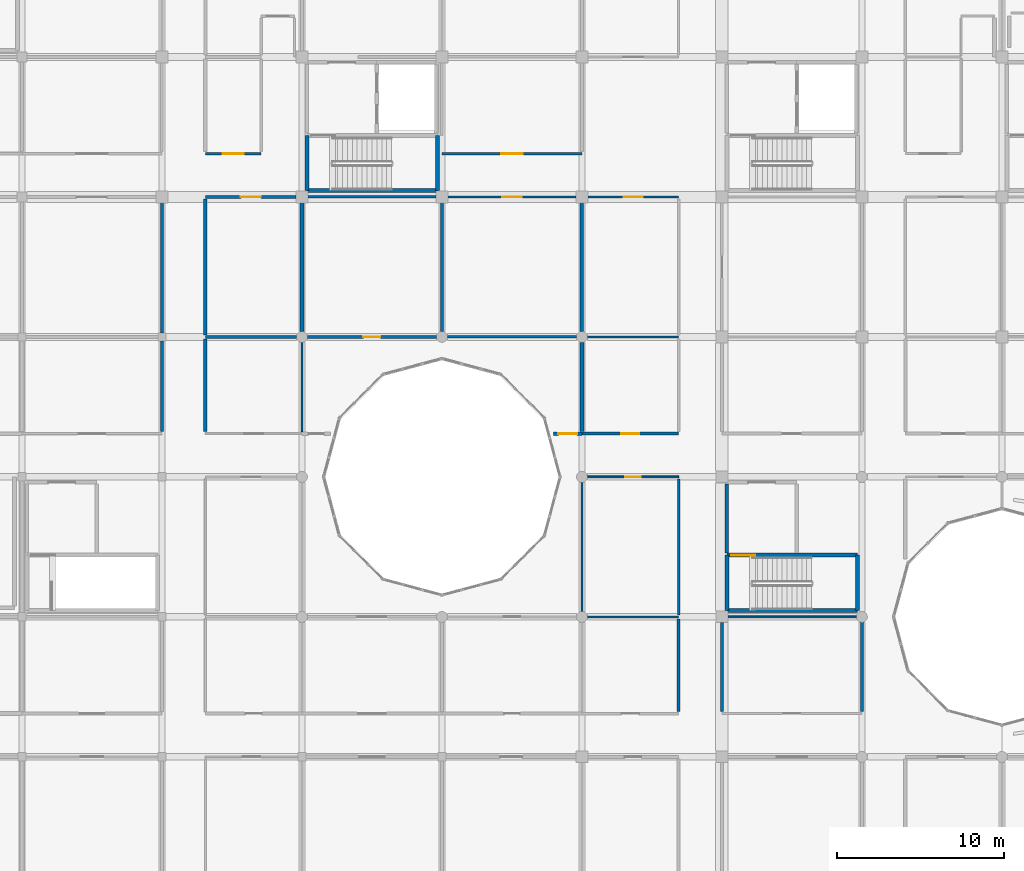
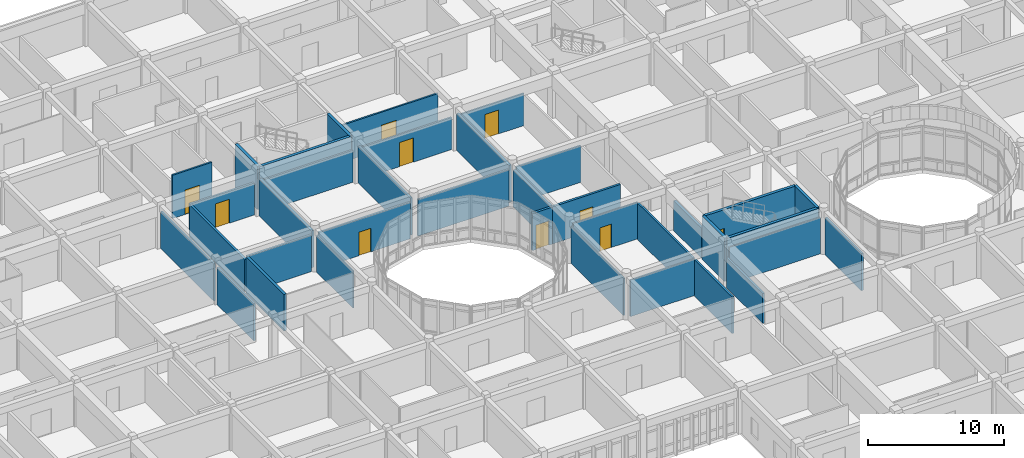
# One storey, part 90 of 119: 37 walls, 10 doors, 10 openings.
"""IFC4 building model written with IfcOpenShell, lengths in metres."""

from ifc_helpers import new_model, si_unit, direction, frame, frame_2d, origin, place, context, subcontext, project, spatial, rectangle, extrude, material, layer, layer_set, type_object, element, fill, save


model = new_model("IFC4")

# Units and contexts
model_context = context("Model", 3, precision=1e-05, world=origin(), true_north=direction((0.0, 1.0)))
body_context = subcontext(model_context, "Body", "Model", "MODEL_VIEW")
ifc_project = project(units=[si_unit("LENGTHUNIT", "METRE"), si_unit("AREAUNIT", "SQUARE_METRE"), si_unit("VOLUMEUNIT", "CUBIC_METRE"), si_unit("PLANEANGLEUNIT", "RADIAN"), si_unit("MASSUNIT", "GRAM", prefix="KILO")], contexts=[model_context])

# Site, building, storey
site_placement = place(None, origin())
site = spatial("IfcSite", under=ifc_project, at=site_placement, CompositionType="ELEMENT")
building_placement = place(site_placement, origin())
building = spatial("IfcBuilding", under=site, at=building_placement, Name="Bramfleet General Hospital", CompositionType="ELEMENT")
storey_placement = place(building_placement, frame((0.0, 0.0, 14.39990234375)))
storey = spatial("IfcBuildingStorey", under=building, at=storey_placement, Name="L03", CompositionType="ELEMENT", Elevation=14.39990234375)

# Walls
ifc_material_1 = material(Name="Concrete C35/45", Category="concrete")
ifc_layer_1 = layer(ifc_material_1, 0.219970703125, Name="WT-IW-01")
ifc_layer_set_1 = layer_set([ifc_layer_1], Name="Concrete C35/45")
wall_type_1 = type_object("IfcWallType", Name="WT-IW-01", PredefinedType="PARTITIONING", material=ifc_layer_set_1)
wall_1_placement = place(storey_placement, frame((69.800048828125, 78.31494140625, 0.0), z_axis=(0.0, 0.0, 1.0), x_axis=(0.0, 1.0, 0.0)))
element("IfcWall", 1, at=wall_1_placement, inside=storey, type_object=wall_type_1, Name="L03 Interior Partition IW-L03-2893", PredefinedType="PARTITIONING", context=body_context, shape_type="SweptSolid", body=[
    extrude(rectangle(XDim=5.570068359375, YDim=0.219970703125, at=frame_2d((2.78515625, 0.0))), origin(), (0.0, 0.0, 1.0), 3.280029296875),
])
wall_2_placement = place(storey_placement, frame((75.60009765625, 84.320068359375, 0.0), z_axis=(0.0, 0.0, 1.0), x_axis=(0.0, 1.0, 0.0)))
element("IfcWall", 2, at=wall_2_placement, inside=storey, type_object=wall_type_1, Name="L03 Interior Partition IW-L03-2905", PredefinedType="PARTITIONING", context=body_context, shape_type="SweptSolid", body=[
    extrude(rectangle(XDim=7.73486328125, YDim=0.219970703125, at=frame_2d((3.867431640625, 0.0))), origin(), (0.0, 0.0, 1.0), 3.330078125),
])
wall_3_placement = place(storey_placement, frame((92.39990234375, 78.31494140625, 0.0), z_axis=(0.0, 0.0, 1.0), x_axis=(0.0, 1.0, 0.0)))
element("IfcWall", 3, at=wall_3_placement, inside=storey, type_object=wall_type_1, Name="L03 Interior Partition IW-L03-2917", PredefinedType="PARTITIONING", context=body_context, shape_type="SweptSolid", body=[
    extrude(rectangle(XDim=5.364990234375, YDim=0.219970703125, at=frame_2d((2.6826171875, 0.0))), origin(), (0.0, 0.0, 1.0), 3.330078125),
])
ifc_layer_2 = layer(ifc_material_1, 0.205078125, Name="WT-IW-02")
ifc_layer_set_2 = layer_set([ifc_layer_2], Name="Concrete C35/45")
wall_type_2 = type_object("IfcWallType", Name="WT-IW-02", PredefinedType="PARTITIONING", material=ifc_layer_set_2)
wall_4_placement = place(storey_placement, frame((101.10009765625, 71.0400390625, 0.0), z_axis=(0.0, 0.0, 1.0), x_axis=(0.0, 1.0, 0.0)))
element("IfcWall", 4, at=wall_4_placement, inside=storey, type_object=wall_type_2, Name="L03 C11 Lobby West Compartment Wall", PredefinedType="PARTITIONING", context=body_context, shape_type="SweptSolid", body=[
    extrude(rectangle(XDim=4.119873046875, YDim=0.205078125, at=frame_2d((2.06005859375, 0.0))), origin(), (0.0, 0.0, 1.0), 2.690185546875),
])

# Wall, opening, door
wall_5_placement = place(storey_placement, frame((90.693359375, 78.199951171875, 0.0), z_axis=(0.0, 0.0, 1.0), x_axis=(1.0, 0.0, 0.0)))
wall_5 = element("IfcWall", 5, at=wall_5_placement, inside=storey, type_object=wall_type_2, Name="L03 Interior Partition IW-L03-2606", PredefinedType="PARTITIONING", context=body_context, shape_type="SweptSolid", body=[
    extrude(rectangle(XDim=1.70654296875, YDim=0.205078125, at=frame_2d((0.853271484375, 0.0))), origin(), (0.0, 0.0, 1.0), 3.330078125),
])
opening_1_placement = place(wall_5_placement, frame((0.293212890625, 0.0, 0.0)))
opening_1 = element("IfcOpeningElement", 6, at=opening_1_placement, cuts=wall_5, Name="Opening D1115", PredefinedType="OPENING", context=body_context, shape_type="SweptSolid", body=[
    extrude(rectangle(XDim=1.1201171875, YDim=2.179931640625, at=frame_2d((0.56005859375, 1.08984375))), frame((0.0, 0.112548828125, 0.0), z_axis=(0.0, -1.0, 0.0), x_axis=(1.0, 0.0, 0.0)), (0.0, 0.0, 1.0), 0.22509765625),
])
ifc_material_2 = material(Name="Stainless steel and acoustic timber leaf", Category="steel")
door_type_1 = type_object("IfcDoorType", Name="DR-D-27", OperationType="NOTDEFINED", PredefinedType="DOOR", material=ifc_material_2)
door_1_placement = place(opening_1_placement, origin())
door_1 = element("IfcDoor", 7, at=door_1_placement, inside=storey, type_object=door_type_1, Name="Courtyard Waiting Lounge L03-1009 Door D1115", OperationType="SINGLE_SWING_RIGHT", OverallHeight=2.179931640625, OverallWidth=1.1201171875, PredefinedType="DOOR", context=body_context, shape_type="SweptSolid", body=[
    extrude(rectangle(XDim=1.1201171875, YDim=2.179931640625, at=frame_2d((0.56005859375, 1.08984375))), frame((0.0, 0.02490234375, 0.0), z_axis=(0.0, -1.0, 0.0), x_axis=(1.0, 0.0, 0.0)), (0.0, 0.0, 1.0), 0.050048828125),
])
fill(opening_1, door_1)

# Walls
wall_6_placement = place(storey_placement, frame((69.800048828125, 84.114990234375, 0.0), z_axis=(0.0, 0.0, 1.0), x_axis=(0.0, 1.0, 0.0)))
element("IfcWall", 8, at=wall_6_placement, inside=storey, type_object=wall_type_2, Name="L03 Interior Partition IW-L03-2894", PredefinedType="PARTITIONING", context=body_context, shape_type="SweptSolid", body=[
    extrude(rectangle(XDim=8.169921875, YDim=0.205078125, at=frame_2d((4.0849609375, 0.0))), origin(), (0.0, 0.0, 1.0), 2.880126953125),
])
wall_7_placement = place(storey_placement, frame((92.39990234375, 84.320068359375, 0.0), z_axis=(0.0, 0.0, 1.0), x_axis=(0.0, 1.0, 0.0)))
element("IfcWall", 9, at=wall_7_placement, inside=storey, type_object=wall_type_2, Name="L03 Interior Partition IW-L03-2918", PredefinedType="PARTITIONING", context=body_context, shape_type="SweptSolid", body=[
    extrude(rectangle(XDim=7.73486328125, YDim=0.205078125, at=frame_2d((3.867431640625, 0.0))), origin(), (0.0, 0.0, 1.0), 3.330078125),
])

# Wall, opening, door
ifc_layer_3 = layer(ifc_material_1, 0.18994140625, Name="WT-IW-03")
ifc_layer_set_3 = layer_set([ifc_layer_3], Name="Concrete C35/45")
wall_type_3 = type_object("IfcWallType", Name="WT-IW-03", PredefinedType="PARTITIONING", material=ifc_layer_set_3)
wall_8_placement = place(storey_placement, frame((92.39990234375, 78.199951171875, 0.0), z_axis=(0.0, 0.0, 1.0), x_axis=(1.0, 0.0, 0.0)))
wall_8 = element("IfcWall", 10, at=wall_8_placement, inside=storey, type_object=wall_type_3, Name="L03 Interior Partition IW-L03-2607", PredefinedType="PARTITIONING", context=body_context, shape_type="SweptSolid", body=[
    extrude(rectangle(XDim=5.800048828125, YDim=0.18994140625, at=frame_2d((2.89990234375, 0.0))), origin(), (0.0, 0.0, 1.0), 3.330078125),
])
opening_2_placement = place(wall_8_placement, frame((2.35009765625, 0.0, 0.0)))
opening_2 = element("IfcOpeningElement", 11, at=opening_2_placement, cuts=wall_8, Name="Opening D1131", PredefinedType="OPENING", context=body_context, shape_type="SweptSolid", body=[
    extrude(rectangle(XDim=1.10009765625, YDim=2.14990234375, at=frame_2d((0.550048828125, 1.074951171875))), frame((0.0, 0.10498046875, 0.0), z_axis=(0.0, -1.0, 0.0), x_axis=(1.0, 0.0, 0.0)), (0.0, 0.0, 1.0), 0.2099609375),
])
door_type_2 = type_object("IfcDoorType", Name="DR-D-11", OperationType="NOTDEFINED", PredefinedType="DOOR", material=ifc_material_2)
door_2_placement = place(opening_2_placement, origin())
door_2 = element("IfcDoor", 12, at=door_2_placement, inside=storey, type_object=door_type_2, Name="Maternity Delivery Suite and Clinical Lab L03-1109 Door D1131", OperationType="SINGLE_SWING_RIGHT", OverallHeight=2.14990234375, OverallWidth=1.10009765625, PredefinedType="DOOR", context=body_context, shape_type="SweptSolid", body=[
    extrude(rectangle(XDim=1.10009765625, YDim=2.14990234375, at=frame_2d((0.550048828125, 1.074951171875))), frame((0.0, 0.02490234375, 0.0), z_axis=(0.0, -1.0, 0.0), x_axis=(1.0, 0.0, 0.0)), (0.0, 0.0, 1.0), 0.050048828125),
])
fill(opening_2, door_2)

# Walls
ifc_layer_4 = layer(ifc_material_1, 0.179931640625, Name="WT-IW-04")
ifc_layer_set_4 = layer_set([ifc_layer_4], Name="Concrete C35/45")
wall_type_4 = type_object("IfcWallType", Name="WT-IW-04", PredefinedType="PARTITIONING", material=ifc_layer_set_4)
wall_9_placement = place(storey_placement, frame((109.199951171875, 61.514892578125, 0.0), z_axis=(0.0, 0.0, 1.0), x_axis=(0.0, 1.0, 0.0)))
element("IfcWall", 13, at=wall_9_placement, inside=storey, type_object=wall_type_4, Name="L03 Interior Partition IW-L03-2956", PredefinedType="PARTITIONING", context=body_context, shape_type="SweptSolid", body=[
    extrude(rectangle(XDim=5.364990234375, YDim=0.179931640625, at=frame_2d((2.6826171875, 0.0))), origin(), (0.0, 0.0, 1.0), 3.340087890625),
])
ifc_material_3 = material(Name="Gypsum plasterboard on acoustic steel studs", Category="steel")
ifc_layer_5 = layer(ifc_material_3, 0.169921875, Name="WT-IW-05")
ifc_layer_set_5 = layer_set([ifc_layer_5], Name="Gypsum plasterboard on acoustic steel studs")
wall_type_5 = type_object("IfcWallType", Name="WT-IW-05", PredefinedType="PARTITIONING", material=ifc_layer_set_5)
wall_10_placement = place(storey_placement, frame((69.800048828125, 84.0, 0.0), z_axis=(0.0, 0.0, 1.0), x_axis=(1.0, 0.0, 0.0)))
element("IfcWall", 14, at=wall_10_placement, inside=storey, type_object=wall_type_5, Name="L03 Interior Partition IW-L03-2621", PredefinedType="PARTITIONING", context=body_context, shape_type="SweptSolid", body=[
    extrude(rectangle(XDim=5.47998046875, YDim=0.169921875, at=frame_2d((2.739990234375, 0.0))), origin(), (0.0, 0.0, 1.0), 3.280029296875),
])
wall_11_placement = place(storey_placement, frame((67.199951171875, 78.31494140625, 0.0), z_axis=(0.0, 0.0, 1.0), x_axis=(0.0, 1.0, 0.0)))
element("IfcWall", 15, at=wall_11_placement, inside=storey, type_object=wall_type_5, Name="L03 Interior Partition IW-L03-2885", PredefinedType="PARTITIONING", context=body_context, shape_type="SweptSolid", body=[
    extrude(rectangle(XDim=5.43994140625, YDim=0.169921875, at=frame_2d((2.719970703125, 0.0))), origin(), (0.0, 0.0, 1.0), 3.330078125),
])
wall_12_placement = place(storey_placement, frame((98.199951171875, 61.514892578125, 0.0), z_axis=(0.0, 0.0, 1.0), x_axis=(0.0, 1.0, 0.0)))
element("IfcWall", 16, at=wall_12_placement, inside=storey, type_object=wall_type_5, Name="L03 Interior Partition IW-L03-2933", PredefinedType="PARTITIONING", context=body_context, shape_type="SweptSolid", body=[
    extrude(rectangle(XDim=5.570068359375, YDim=0.169921875, at=frame_2d((2.78515625, 0.0))), origin(), (0.0, 0.0, 1.0), 3.2900390625),
])
wall_13_placement = place(storey_placement, frame((100.800048828125, 61.514892578125, 0.0), z_axis=(0.0, 0.0, 1.0), x_axis=(0.0, 1.0, 0.0)))
element("IfcWall", 17, at=wall_13_placement, inside=storey, type_object=wall_type_5, Name="L03 Interior Partition IW-L03-2945", PredefinedType="PARTITIONING", context=body_context, shape_type="SweptSolid", body=[
    extrude(rectangle(XDim=5.340087890625, YDim=0.169921875, at=frame_2d((2.669921875, 0.0))), origin(), (0.0, 0.0, 1.0), 2.690185546875),
])

# Wall, opening, door
ifc_layer_6 = layer(ifc_material_3, 0.159912109375, Name="WT-IW-06")
ifc_layer_set_6 = layer_set([ifc_layer_6], Name="Gypsum plasterboard on acoustic steel studs")
wall_type_6 = type_object("IfcWallType", Name="WT-IW-06", PredefinedType="PARTITIONING", material=ifc_layer_set_6)
wall_14_placement = place(storey_placement, frame((75.919921875, 84.0, 0.0), z_axis=(0.0, 0.0, 1.0), x_axis=(1.0, 0.0, 0.0)))
wall_14 = element("IfcWall", 18, at=wall_14_placement, inside=storey, type_object=wall_type_6, Name="L03 Interior Partition IW-L03-2622", PredefinedType="PARTITIONING", context=body_context, shape_type="SweptSolid", body=[
    extrude(rectangle(XDim=7.760009765625, YDim=0.159912109375, at=frame_2d((3.8798828125, 0.0))), origin(), (0.0, 0.0, 1.0), 3.280029296875),
])
opening_3_placement = place(wall_14_placement, frame((3.3701171875, 0.0, 0.0)))
opening_3 = element("IfcOpeningElement", 19, at=opening_3_placement, cuts=wall_14, Name="Opening D1109", PredefinedType="OPENING", context=body_context, shape_type="SweptSolid", body=[
    extrude(rectangle(XDim=1.02001953125, YDim=2.1201171875, at=frame_2d((0.510009765625, 1.06005859375))), frame((0.0, 0.08984375, 0.0), z_axis=(0.0, -1.0, 0.0), x_axis=(1.0, 0.0, 0.0)), (0.0, 0.0, 1.0), 0.179931640625),
])
door_type_3 = type_object("IfcDoorType", Name="DR-D-21", OperationType="NOTDEFINED", PredefinedType="DOOR", material=ifc_material_2)
door_3_placement = place(opening_3_placement, origin())
door_3 = element("IfcDoor", 20, at=door_3_placement, inside=storey, type_object=door_type_3, Name="Maternity Delivery Suite and Clinical Lab L03-0910 Door D1109", OperationType="SINGLE_SWING_RIGHT", OverallHeight=2.1201171875, OverallWidth=1.02001953125, PredefinedType="DOOR", context=body_context, shape_type="SweptSolid", body=[
    extrude(rectangle(XDim=1.02001953125, YDim=2.1201171875, at=frame_2d((0.510009765625, 1.06005859375))), frame((0.0, 0.02490234375, 0.0), z_axis=(0.0, -1.0, 0.0), x_axis=(1.0, 0.0, 0.0)), (0.0, 0.0, 1.0), 0.050048828125),
])
fill(opening_3, door_3)

wall_15_placement = place(storey_placement, frame((69.800048828125, 92.39990234375, 0.0), z_axis=(0.0, 0.0, 1.0), x_axis=(1.0, 0.0, 0.0)))
wall_15 = element("IfcWall", 21, at=wall_15_placement, inside=storey, type_object=wall_type_6, Name="L03 Interior Partition IW-L03-2646", PredefinedType="PARTITIONING", context=body_context, shape_type="SweptSolid", body=[
    extrude(rectangle(XDim=5.454833984375, YDim=0.159912109375, at=frame_2d((2.7275390625, 0.0))), origin(), (0.0, 0.0, 1.0), 2.880126953125),
])
opening_4_placement = place(wall_15_placement, frame((2.12744140625, 0.0, 0.0)))
opening_4 = element("IfcOpeningElement", 22, at=opening_4_placement, cuts=wall_15, Name="Opening D1101", PredefinedType="OPENING", context=body_context, shape_type="SweptSolid", body=[
    extrude(rectangle(XDim=1.199951171875, YDim=2.14990234375, at=frame_2d((0.60009765625, 1.074951171875))), frame((0.0, 0.08984375, 0.0), z_axis=(0.0, -1.0, 0.0), x_axis=(1.0, 0.0, 0.0)), (0.0, 0.0, 1.0), 0.179931640625),
])
door_type_4 = type_object("IfcDoorType", Name="DR-D-13", OperationType="NOTDEFINED", PredefinedType="DOOR", material=ifc_material_2)
door_4_placement = place(opening_4_placement, origin())
door_4 = element("IfcDoor", 23, at=door_4_placement, inside=storey, type_object=door_type_4, Name="Maternity Delivery Suite and Clinical Lab L03-0810 Door D1101", OperationType="SINGLE_SWING_RIGHT", OverallHeight=2.14990234375, OverallWidth=1.199951171875, PredefinedType="DOOR", context=body_context, shape_type="SweptSolid", body=[
    extrude(rectangle(XDim=1.199951171875, YDim=2.14990234375, at=frame_2d((0.60009765625, 1.074951171875))), frame((0.0, 0.02490234375, 0.0), z_axis=(0.0, -1.0, 0.0), x_axis=(1.0, 0.0, 0.0)), (0.0, 0.0, 1.0), 0.050048828125),
])
fill(opening_4, door_4)

# Walls
wall_16_placement = place(storey_placement, frame((67.199951171875, 84.2451171875, 0.0), z_axis=(0.0, 0.0, 1.0), x_axis=(0.0, 1.0, 0.0)))
element("IfcWall", 24, at=wall_16_placement, inside=storey, type_object=wall_type_6, Name="L03 Interior Partition IW-L03-2886", PredefinedType="PARTITIONING", context=body_context, shape_type="SweptSolid", body=[
    extrude(rectangle(XDim=7.809814453125, YDim=0.159912109375, at=frame_2d((3.90478515625, 0.0))), origin(), (0.0, 0.0, 1.0), 3.330078125),
])
wall_17_placement = place(storey_placement, frame((84.0, 84.320068359375, 0.0), z_axis=(0.0, 0.0, 1.0), x_axis=(0.0, 1.0, 0.0)))
element("IfcWall", 25, at=wall_17_placement, inside=storey, type_object=wall_type_6, Name="L03 Interior Partition IW-L03-2910", PredefinedType="PARTITIONING", context=body_context, shape_type="SweptSolid", body=[
    extrude(rectangle(XDim=7.73486328125, YDim=0.159912109375, at=frame_2d((3.867431640625, 0.0))), origin(), (0.0, 0.0, 1.0), 3.330078125),
])
wall_18_placement = place(storey_placement, frame((98.199951171875, 67.31494140625, 0.0), z_axis=(0.0, 0.0, 1.0), x_axis=(0.0, 1.0, 0.0)))
element("IfcWall", 26, at=wall_18_placement, inside=storey, type_object=wall_type_6, Name="L03 Interior Partition IW-L03-2934", PredefinedType="PARTITIONING", context=body_context, shape_type="SweptSolid", body=[
    extrude(rectangle(XDim=8.170166015625, YDim=0.159912109375, at=frame_2d((4.0849609375, 0.0))), origin(), (0.0, 0.0, 1.0), 3.2900390625),
])
ifc_layer_7 = layer(ifc_material_3, 0.14990234375, Name="WT-IW-07")
ifc_layer_set_7 = layer_set([ifc_layer_7], Name="Gypsum plasterboard on acoustic steel studs")
wall_type_7 = type_object("IfcWallType", Name="WT-IW-07", PredefinedType="PARTITIONING", material=ifc_layer_set_7)
wall_19_placement = place(storey_placement, frame((84.320068359375, 84.0, 0.0), z_axis=(0.0, 0.0, 1.0), x_axis=(1.0, 0.0, 0.0)))
element("IfcWall", 27, at=wall_19_placement, inside=storey, type_object=wall_type_7, Name="L03 Interior Partition IW-L03-2623", PredefinedType="PARTITIONING", context=body_context, shape_type="SweptSolid", body=[
    extrude(rectangle(XDim=7.760009765625, YDim=0.14990234375, at=frame_2d((3.8798828125, 0.0))), origin(), (0.0, 0.0, 1.0), 3.280029296875),
])
wall_20_placement = place(storey_placement, frame((75.945068359375, 92.39990234375, 0.0), z_axis=(0.0, 0.0, 1.0), x_axis=(1.0, 0.0, 0.0)))
element("IfcWall", 28, at=wall_20_placement, inside=storey, type_object=wall_type_7, Name="L03 Interior Partition IW-L03-2647", PredefinedType="PARTITIONING", context=body_context, shape_type="SweptSolid", body=[
    extrude(rectangle(XDim=7.7099609375, YDim=0.14990234375, at=frame_2d((3.85498046875, 0.0))), origin(), (0.0, 0.0, 1.0), 2.880126953125),
])

# Wall, opening, door
wall_21_placement = place(storey_placement, frame((69.800048828125, 95.0, 0.0), z_axis=(0.0, 0.0, 1.0), x_axis=(1.0, 0.0, 0.0)))
wall_21 = element("IfcWall", 29, at=wall_21_placement, inside=storey, type_object=wall_type_7, Name="L03 Interior Partition IW-L03-2671", PredefinedType="PARTITIONING", context=body_context, shape_type="SweptSolid", body=[
    extrude(rectangle(XDim=3.349853515625, YDim=0.14990234375, at=frame_2d((1.6748046875, 0.0))), origin(), (0.0, 0.0, 1.0), 3.89013671875),
])
opening_5_placement = place(wall_21_placement, frame((1.050048828125, 0.0, 0.0)))
opening_5 = element("IfcOpeningElement", 30, at=opening_5_placement, cuts=wall_21, Name="Opening D1102", PredefinedType="OPENING", context=body_context, shape_type="SweptSolid", body=[
    extrude(rectangle(XDim=1.25, YDim=2.199951171875, at=frame_2d((0.625, 1.10009765625))), frame((0.0, 0.0849609375, 0.0), z_axis=(0.0, -1.0, 0.0), x_axis=(1.0, 0.0, 0.0)), (0.0, 0.0, 1.0), 0.169921875),
])
door_type_5 = type_object("IfcDoorType", Name="DR-D-14", OperationType="NOTDEFINED", PredefinedType="DOOR", material=ifc_material_2)
door_5_placement = place(opening_5_placement, origin())
door_5 = element("IfcDoor", 31, at=door_5_placement, inside=storey, type_object=door_type_5, Name="Maternity Delivery Suite and Clinical Lab L03-0811 Door D1102", OperationType="SINGLE_SWING_LEFT", OverallHeight=2.199951171875, OverallWidth=1.25, PredefinedType="DOOR", context=body_context, shape_type="SweptSolid", body=[
    extrude(rectangle(XDim=1.25, YDim=2.199951171875, at=frame_2d((0.625, 1.10009765625))), frame((0.0, 0.02490234375, 0.0), z_axis=(0.0, -1.0, 0.0), x_axis=(1.0, 0.0, 0.0)), (0.0, 0.0, 1.0), 0.050048828125),
])
fill(opening_5, door_5)

# Wall
ifc_layer_8 = layer(ifc_material_3, 0.139892578125, Name="WT-IW-08")
ifc_layer_set_8 = layer_set([ifc_layer_8], Name="Gypsum plasterboard on acoustic steel studs")
wall_type_8 = type_object("IfcWallType", Name="WT-IW-08", PredefinedType="PARTITIONING", material=ifc_layer_set_8)
wall_22_placement = place(storey_placement, frame((92.719970703125, 84.0, 0.0), z_axis=(0.0, 0.0, 1.0), x_axis=(1.0, 0.0, 0.0)))
element("IfcWall", 32, at=wall_22_placement, inside=storey, type_object=wall_type_8, Name="L03 Interior Partition IW-L03-2624", PredefinedType="PARTITIONING", context=body_context, shape_type="SweptSolid", body=[
    extrude(rectangle(XDim=5.47998046875, YDim=0.139892578125, at=frame_2d((2.739990234375, 0.0))), origin(), (0.0, 0.0, 1.0), 3.2900390625),
])

# Wall, opening, door
wall_23_placement = place(storey_placement, frame((84.344970703125, 92.39990234375, 0.0), z_axis=(0.0, 0.0, 1.0), x_axis=(1.0, 0.0, 0.0)))
wall_23 = element("IfcWall", 33, at=wall_23_placement, inside=storey, type_object=wall_type_8, Name="L03 Interior Partition IW-L03-2648", PredefinedType="PARTITIONING", context=body_context, shape_type="SweptSolid", body=[
    extrude(rectangle(XDim=7.7099609375, YDim=0.139892578125, at=frame_2d((3.85498046875, 0.0))), origin(), (0.0, 0.0, 1.0), 2.880126953125),
])
opening_6_placement = place(wall_23_placement, frame((3.264892578125, 0.0, 0.0)))
opening_6 = element("IfcOpeningElement", 34, at=opening_6_placement, cuts=wall_23, Name="Opening D1116", PredefinedType="OPENING", context=body_context, shape_type="SweptSolid", body=[
    extrude(rectangle(XDim=1.179931640625, YDim=2.179931640625, at=frame_2d((0.58984375, 1.08984375))), frame((0.0, 0.079833984375, 0.0), z_axis=(0.0, -1.0, 0.0), x_axis=(1.0, 0.0, 0.0)), (0.0, 0.0, 1.0), 0.159912109375),
])
door_type_6 = type_object("IfcDoorType", Name="DR-D-28", OperationType="NOTDEFINED", PredefinedType="DOOR", material=ifc_material_2)
door_6_placement = place(opening_6_placement, origin())
door_6 = element("IfcDoor", 35, at=door_6_placement, inside=storey, type_object=door_type_6, Name="Maternity Delivery Suite and Clinical Lab L03-1010 Door D1116", OperationType="SINGLE_SWING_LEFT", OverallHeight=2.179931640625, OverallWidth=1.179931640625, PredefinedType="DOOR", context=body_context, shape_type="SweptSolid", body=[
    extrude(rectangle(XDim=1.179931640625, YDim=2.179931640625, at=frame_2d((0.58984375, 1.08984375))), frame((0.0, 0.02490234375, 0.0), z_axis=(0.0, -1.0, 0.0), x_axis=(1.0, 0.0, 0.0)), (0.0, 0.0, 1.0), 0.050048828125),
])
fill(opening_6, door_6)

wall_24_placement = place(storey_placement, frame((84.0, 95.0, 0.0), z_axis=(0.0, 0.0, 1.0), x_axis=(1.0, 0.0, 0.0)))
wall_24 = element("IfcWall", 36, at=wall_24_placement, inside=storey, type_object=wall_type_8, Name="L03 Interior Partition IW-L03-2672", PredefinedType="PARTITIONING", context=body_context, shape_type="SweptSolid", body=[
    extrude(rectangle(XDim=8.39990234375, YDim=0.139892578125, at=frame_2d((4.199951171875, 0.0))), origin(), (0.0, 0.0, 1.0), 3.340087890625),
])
opening_7_placement = place(wall_24_placement, frame((3.56005859375, 0.0, 0.0)))
opening_7 = element("IfcOpeningElement", 37, at=opening_7_placement, cuts=wall_24, Name="Opening D1117", PredefinedType="OPENING", context=body_context, shape_type="SweptSolid", body=[
    extrude(rectangle(XDim=1.280029296875, YDim=2.179931640625, at=frame_2d((0.64013671875, 1.08984375))), frame((0.0, 0.079833984375, 0.0), z_axis=(0.0, -1.0, 0.0), x_axis=(1.0, 0.0, 0.0)), (0.0, 0.0, 1.0), 0.159912109375),
])
door_type_7 = type_object("IfcDoorType", Name="DR-D-29", OperationType="NOTDEFINED", PredefinedType="DOOR", material=ifc_material_2)
door_7_placement = place(opening_7_placement, origin())
door_7 = element("IfcDoor", 38, at=door_7_placement, inside=storey, type_object=door_type_7, Name="Maternity Delivery Suite and Clinical Lab L03-1011 Door D1117", OperationType="SINGLE_SWING_RIGHT", OverallHeight=2.179931640625, OverallWidth=1.280029296875, PredefinedType="DOOR", context=body_context, shape_type="SweptSolid", body=[
    extrude(rectangle(XDim=1.280029296875, YDim=2.179931640625, at=frame_2d((0.64013671875, 1.08984375))), frame((0.0, 0.02490234375, 0.0), z_axis=(0.0, -1.0, 0.0), x_axis=(1.0, 0.0, 0.0)), (0.0, 0.0, 1.0), 0.050048828125),
])
fill(opening_7, door_7)

ifc_layer_9 = layer(ifc_material_3, 0.1298828125, Name="WT-IW-09")
ifc_layer_set_9 = layer_set([ifc_layer_9], Name="Gypsum plasterboard on acoustic steel studs")
wall_type_9 = type_object("IfcWallType", Name="WT-IW-09", PredefinedType="PARTITIONING", material=ifc_layer_set_9)
wall_25_placement = place(storey_placement, frame((92.7451171875, 92.39990234375, 0.0), z_axis=(0.0, 0.0, 1.0), x_axis=(1.0, 0.0, 0.0)))
wall_25 = element("IfcWall", 39, at=wall_25_placement, inside=storey, type_object=wall_type_9, Name="L03 Interior Partition IW-L03-2649", PredefinedType="PARTITIONING", context=body_context, shape_type="SweptSolid", body=[
    extrude(rectangle(XDim=5.454833984375, YDim=0.1298828125, at=frame_2d((2.7275390625, 0.0))), origin(), (0.0, 0.0, 1.0), 2.89013671875),
])
opening_8_placement = place(wall_25_placement, frame((2.152587890625, 0.0, 0.0)))
opening_8 = element("IfcOpeningElement", 40, at=opening_8_placement, cuts=wall_25, Name="Opening D1132", PredefinedType="OPENING", context=body_context, shape_type="SweptSolid", body=[
    extrude(rectangle(XDim=1.14990234375, YDim=2.14990234375, at=frame_2d((0.574951171875, 1.074951171875))), frame((0.0, 0.074951171875, 0.0), z_axis=(0.0, -1.0, 0.0), x_axis=(1.0, 0.0, 0.0)), (0.0, 0.0, 1.0), 0.14990234375),
])
door_type_8 = type_object("IfcDoorType", Name="DR-D-12", OperationType="NOTDEFINED", PredefinedType="DOOR", material=ifc_material_2)
door_8_placement = place(opening_8_placement, origin())
door_8 = element("IfcDoor", 41, at=door_8_placement, inside=storey, type_object=door_type_8, Name="Maternity Delivery Suite and Clinical Lab L03-1110 Door D1132", OperationType="SINGLE_SWING_LEFT", OverallHeight=2.14990234375, OverallWidth=1.14990234375, PredefinedType="DOOR", context=body_context, shape_type="SweptSolid", body=[
    extrude(rectangle(XDim=1.14990234375, YDim=2.14990234375, at=frame_2d((0.574951171875, 1.074951171875))), frame((0.0, 0.02490234375, 0.0), z_axis=(0.0, -1.0, 0.0), x_axis=(1.0, 0.0, 0.0)), (0.0, 0.0, 1.0), 0.050048828125),
])
fill(opening_8, door_8)

# Walls
ifc_layer_10 = layer(ifc_material_3, 0.1201171875, Name="WT-IW-10")
ifc_layer_set_10 = layer_set([ifc_layer_10], Name="Gypsum plasterboard on acoustic steel studs")
wall_type_10 = type_object("IfcWallType", Name="WT-IW-10", PredefinedType="PARTITIONING", material=ifc_layer_set_10)
wall_26_placement = place(storey_placement, frame((92.719970703125, 67.199951171875, 0.0), z_axis=(0.0, 0.0, 1.0), x_axis=(1.0, 0.0, 0.0)))
element("IfcWall", 42, at=wall_26_placement, inside=storey, type_object=wall_type_10, Name="L03 Interior Partition IW-L03-2578", PredefinedType="PARTITIONING", context=body_context, shape_type="SweptSolid", body=[
    extrude(rectangle(XDim=5.47998046875, YDim=0.1201171875, at=frame_2d((2.739990234375, 0.0))), origin(), (0.0, 0.0, 1.0), 3.2900390625),
])
ifc_layer_11 = layer(ifc_material_3, 0.112060546875, Name="WT-IW-11")
ifc_layer_set_11 = layer_set([ifc_layer_11], Name="Gypsum plasterboard on acoustic steel studs")
wall_type_11 = type_object("IfcWallType", Name="WT-IW-11", PredefinedType="PARTITIONING", material=ifc_layer_set_11)
wall_27_placement = place(storey_placement, frame((101.14501953125, 67.199951171875, 0.0), z_axis=(0.0, 0.0, 1.0), x_axis=(1.0, 0.0, 0.0)))
element("IfcWall", 43, at=wall_27_placement, inside=storey, type_object=wall_type_11, Name="L03 Interior Partition IW-L03-2579", PredefinedType="PARTITIONING", context=body_context, shape_type="SweptSolid", body=[
    extrude(rectangle(XDim=7.73486328125, YDim=0.112060546875, at=frame_2d((3.867431640625, 0.0))), origin(), (0.0, 0.0, 1.0), 3.2900390625),
])

# Wall, opening, door
wall_28_placement = place(storey_placement, frame((92.719970703125, 75.60009765625, 0.0), z_axis=(0.0, 0.0, 1.0), x_axis=(1.0, 0.0, 0.0)))
wall_28 = element("IfcWall", 44, at=wall_28_placement, inside=storey, type_object=wall_type_11, Name="L03 Interior Partition IW-L03-2591", PredefinedType="PARTITIONING", context=body_context, shape_type="SweptSolid", body=[
    extrude(rectangle(XDim=5.47998046875, YDim=0.112060546875, at=frame_2d((2.739990234375, 0.0))), origin(), (0.0, 0.0, 1.0), 3.2900390625),
])
opening_9_placement = place(wall_28_placement, frame((2.264892578125, 0.0, 0.0)))
opening_9 = element("IfcOpeningElement", 45, at=opening_9_placement, cuts=wall_28, Name="Opening D1130", PredefinedType="OPENING", context=body_context, shape_type="SweptSolid", body=[
    extrude(rectangle(XDim=0.949951171875, YDim=2.10009765625, at=frame_2d((0.47509765625, 1.050048828125))), frame((0.0, 0.06591796875, 0.0), z_axis=(0.0, -1.0, 0.0), x_axis=(1.0, 0.0, 0.0)), (0.0, 0.0, 1.0), 0.132080078125),
])
door_type_9 = type_object("IfcDoorType", Name="DR-D-10", OperationType="NOTDEFINED", PredefinedType="DOOR", material=ifc_material_2)
door_9_placement = place(opening_9_placement, origin())
door_9 = element("IfcDoor", 46, at=door_9_placement, inside=storey, type_object=door_type_9, Name="Maternity Delivery Suite and Clinical Lab L03-1108 Door D1130", OperationType="SINGLE_SWING_LEFT", OverallHeight=2.10009765625, OverallWidth=0.949951171875, PredefinedType="DOOR", context=body_context, shape_type="SweptSolid", body=[
    extrude(rectangle(XDim=0.949951171875, YDim=2.10009765625, at=frame_2d((0.47509765625, 1.050048828125))), frame((0.0, 0.02490234375, 0.0), z_axis=(0.0, -1.0, 0.0), x_axis=(1.0, 0.0, 0.0)), (0.0, 0.0, 1.0), 0.050048828125),
])
fill(opening_9, door_9)

# Walls
ifc_layer_12 = layer(ifc_material_3, 0.10009765625, Name="WT-IW-12")
ifc_layer_set_12 = layer_set([ifc_layer_12], Name="Gypsum plasterboard on acoustic steel studs")
wall_type_12 = type_object("IfcWallType", Name="WT-IW-12", PredefinedType="PARTITIONING", material=ifc_layer_set_12)
wall_29_placement = place(storey_placement, frame((75.60009765625, 78.31494140625, 0.0), z_axis=(0.0, 0.0, 1.0), x_axis=(0.0, 1.0, 0.0)))
element("IfcWall", 47, at=wall_29_placement, inside=storey, type_object=wall_type_12, Name="L03 Interior Partition IW-L03-2904", PredefinedType="PARTITIONING", context=body_context, shape_type="SweptSolid", body=[
    extrude(rectangle(XDim=5.364990234375, YDim=0.10009765625, at=frame_2d((2.6826171875, 0.0))), origin(), (0.0, 0.0, 1.0), 3.330078125),
])
wall_30_placement = place(storey_placement, frame((92.39990234375, 67.52001953125, 0.0), z_axis=(0.0, 0.0, 1.0), x_axis=(0.0, 1.0, 0.0)))
element("IfcWall", 48, at=wall_30_placement, inside=storey, type_object=wall_type_12, Name="L03 Interior Partition IW-L03-2916", PredefinedType="PARTITIONING", context=body_context, shape_type="SweptSolid", body=[
    extrude(rectangle(XDim=7.760009765625, YDim=0.10009765625, at=frame_2d((3.8798828125, 0.0))), origin(), (0.0, 0.0, 1.0), 3.330078125),
])
ifc_material_4 = material(Name="Concrete C40/50", Category="concrete")
ifc_layer_13 = layer(ifc_material_4, 0.239990234375, Name="WT-SW-240")
ifc_layer_set_13 = layer_set([ifc_layer_13], Name="Concrete C40/50")
wall_type_13 = type_object("IfcWallType", Name="WT-SW-240", PredefinedType="SHEAR", material=ifc_layer_set_13)
wall_31_placement = place(storey_placement, frame((75.89990234375, 92.780029296875, 0.0), z_axis=(0.0, 0.0, 1.0), x_axis=(1.0, 0.0, 0.0)))
element("IfcWall", 49, at=wall_31_placement, inside=storey, type_object=wall_type_13, Name="L03 C5 South Stair Shear Wall", PredefinedType="SHEAR", context=body_context, shape_type="SweptSolid", body=[
    extrude(rectangle(XDim=7.820068359375, YDim=0.239990234375, at=frame_2d((3.91015625, 0.0))), origin(), (0.0, 0.0, 1.0), 3.900146484375),
])
for number, where, z_axis, x_axis, name in (
    (50, (75.89990234375, 92.780029296875, 0.0), (0.0, 0.0, 1.0), (0.0, 1.0, 0.0), "L03 C5 West Stair Shear Wall"),
    (51, (83.719970703125, 92.780029296875, 0.0), (0.0, 0.0, 1.0), (0.0, 1.0, 0.0), "L03 C5 East Stair Shear Wall"),
):
    element("IfcWall", number, at=place(storey_placement, frame(where, z_axis=z_axis, x_axis=x_axis)), inside=storey, type_object=wall_type_13, Name=name, PredefinedType="SHEAR", context=body_context, shape_type="SweptSolid", body=[
        extrude(rectangle(XDim=3.320068359375, YDim=0.239990234375, at=frame_2d((1.66015625, 0.0))), origin(), (0.0, 0.0, 1.0), 3.900146484375),
    ])
wall_32_placement = place(storey_placement, frame((101.10009765625, 67.580078125, 0.0), z_axis=(0.0, 0.0, 1.0), x_axis=(1.0, 0.0, 0.0)))
element("IfcWall", 52, at=wall_32_placement, inside=storey, type_object=wall_type_13, Name="L03 C11 South Stair Shear Wall", PredefinedType="SHEAR", context=body_context, shape_type="SweptSolid", body=[
    extrude(rectangle(XDim=7.81982421875, YDim=0.239990234375, at=frame_2d((3.909912109375, 0.0))), origin(), (0.0, 0.0, 1.0), 3.900146484375),
])
for number, where, z_axis, x_axis, name in (
    (53, (101.10009765625, 67.580078125, 0.0), (0.0, 0.0, 1.0), (0.0, 1.0, 0.0), "L03 C11 West Stair Shear Wall"),
    (54, (108.919921875, 67.580078125, 0.0), (0.0, 0.0, 1.0), (0.0, 1.0, 0.0), "L03 C11 East Stair Shear Wall"),
):
    element("IfcWall", number, at=place(storey_placement, frame(where, z_axis=z_axis, x_axis=x_axis)), inside=storey, type_object=wall_type_13, Name=name, PredefinedType="SHEAR", context=body_context, shape_type="SweptSolid", body=[
        extrude(rectangle(XDim=3.31982421875, YDim=0.239990234375, at=frame_2d((1.659912109375, 0.0))), origin(), (0.0, 0.0, 1.0), 3.900146484375),
    ])

# Wall, opening, door
wall_33_placement = place(storey_placement, frame((101.10009765625, 70.89990234375, 0.0), z_axis=(0.0, 0.0, 1.0), x_axis=(1.0, 0.0, 0.0)))
wall_33 = element("IfcWall", 55, at=wall_33_placement, inside=storey, type_object=wall_type_13, Name="L03 C11 Stair-Lobby Shear Wall", PredefinedType="SHEAR", context=body_context, shape_type="SweptSolid", body=[
    extrude(rectangle(XDim=7.81982421875, YDim=0.239990234375, at=frame_2d((3.909912109375, 0.0))), origin(), (0.0, 0.0, 1.0), 3.900146484375),
])
opening_10_placement = place(wall_33_placement, frame((0.25, 0.0, 0.0)))
opening_10 = element("IfcOpeningElement", 56, at=opening_10_placement, cuts=wall_33, Name="Opening D0145", PredefinedType="OPENING", context=body_context, shape_type="SweptSolid", body=[
    extrude(rectangle(XDim=1.449951171875, YDim=2.199951171875, at=frame_2d((0.72509765625, 1.10009765625))), frame((0.0, 0.1298828125, 0.0), z_axis=(0.0, -1.0, 0.0), x_axis=(1.0, 0.0, 0.0)), (0.0, 0.0, 1.0), 0.260009765625),
])
door_type_10 = type_object("IfcDoorType", Name="DR-D-03", OperationType="NOTDEFINED", PredefinedType="DOOR", material=ifc_material_2)
door_10_placement = place(opening_10_placement, origin())
door_10 = element("IfcDoor", 57, at=door_10_placement, inside=storey, type_object=door_type_10, Name="L03 C11 Escape Stair Fire Door D0145", OperationType="SINGLE_SWING_RIGHT", OverallHeight=2.199951171875, OverallWidth=1.449951171875, PredefinedType="DOOR", context=body_context, shape_type="SweptSolid", body=[
    extrude(rectangle(XDim=1.449951171875, YDim=2.199951171875, at=frame_2d((0.72509765625, 1.10009765625))), frame((0.0, 0.02490234375, 0.0), z_axis=(0.0, -1.0, 0.0), x_axis=(1.0, 0.0, 0.0)), (0.0, 0.0, 1.0), 0.050048828125),
])
fill(opening_10, door_10)

save(model, "model.ifc")
